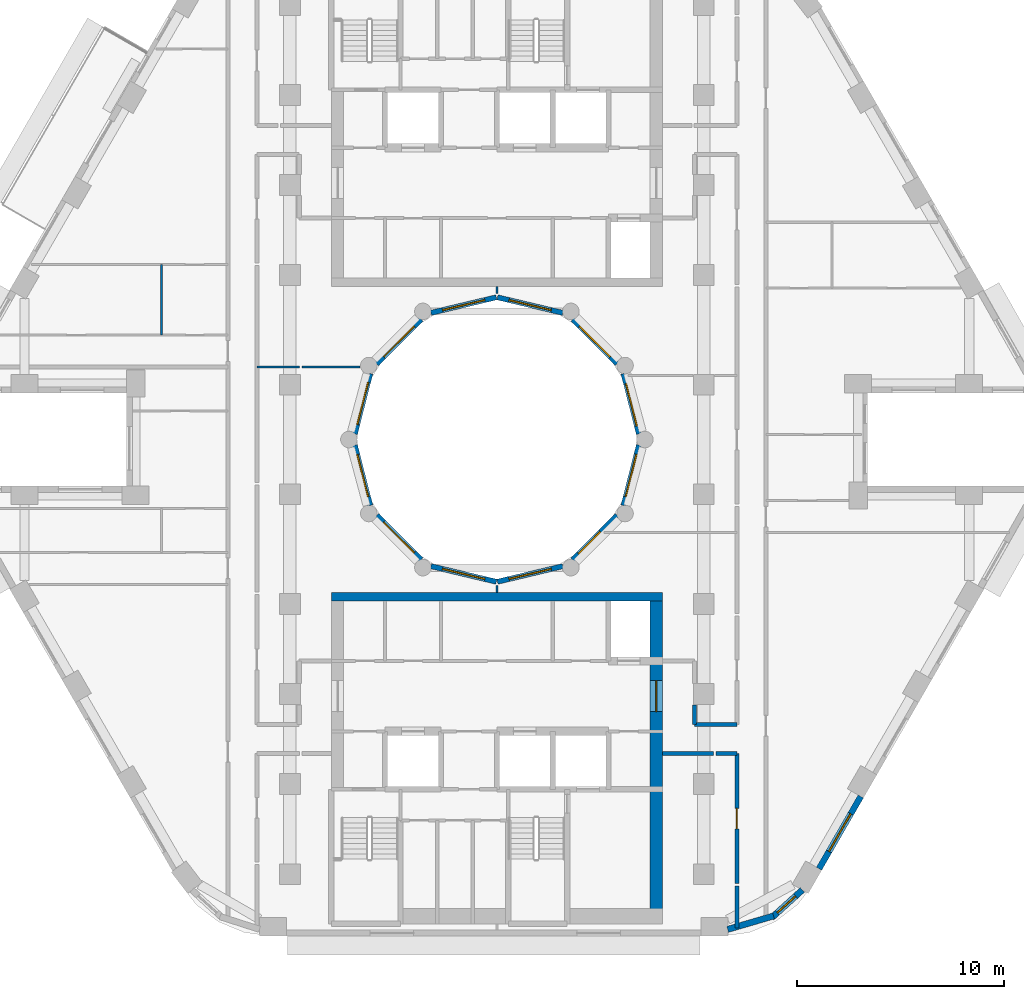
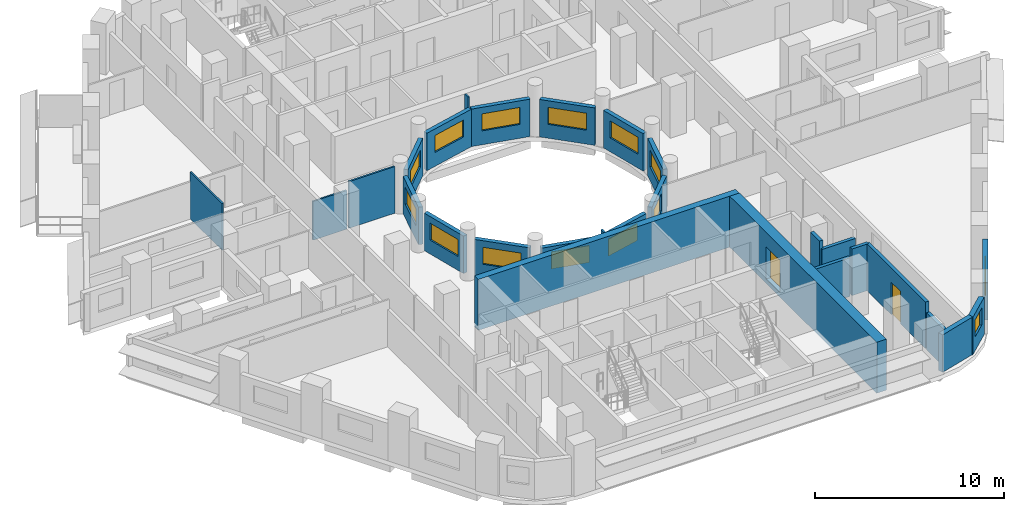
# One storey, part 5 of 13: 28 walls, 14 windows, 2 doors, 16 openings.
"""IFC4 building model written with IfcOpenShell, lengths in metres."""

from ifc_helpers import new_model, si_unit, direction, frame, frame_2d, origin, place, context, subcontext, project, spatial, rectangle, extrude, material, layer, layer_set, type_object, element, fill, save


model = new_model("IFC4")

# Units and contexts
model_context = context("Model", 3, precision=1e-05, world=origin(), true_north=direction((0.0, 1.0)))
body_context = subcontext(model_context, "Body", "Model", "MODEL_VIEW")
ifc_project = project(units=[si_unit("LENGTHUNIT", "METRE"), si_unit("AREAUNIT", "SQUARE_METRE"), si_unit("VOLUMEUNIT", "CUBIC_METRE"), si_unit("PLANEANGLEUNIT", "RADIAN"), si_unit("MASSUNIT", "GRAM", prefix="KILO")], contexts=[model_context])

# Site, building, storey
site_placement = place(None, origin())
site = spatial("IfcSite", under=ifc_project, at=site_placement, CompositionType="ELEMENT")
building_placement = place(site_placement, origin())
building = spatial("IfcBuilding", under=site, at=building_placement, Name="Nakaniwa Court", CompositionType="ELEMENT")
storey_placement = place(building_placement, frame((0.0, 0.0, 147.0)))
storey = spatial("IfcBuildingStorey", under=building, at=storey_placement, Name="L38", CompositionType="ELEMENT", Elevation=147.0)

# Wall
ifc_material_1 = material(Name="Acoustic double stud partition")
ifc_layer_1 = layer(ifc_material_1, 0.199951171875)
ifc_layer_set_1 = layer_set([ifc_layer_1], Name="Acoustic double stud partition")
wall_type_1 = type_object("IfcWallType", Name="Acoustic double stud partition 200", PredefinedType="PARTITIONING", material=ifc_layer_set_1)
wall_1_placement = place(storey_placement, frame((91.60009765625, 56.40087890625, 0.0), z_axis=(0.0, 0.0, 1.0), x_axis=(0.0, 1.0, 0.0)))
element("IfcWall", 1, at=wall_1_placement, inside=storey, type_object=wall_type_1, Name="Partition PW-071", PredefinedType="PARTITIONING", context=body_context, shape_type="SweptSolid", body=[
    extrude(rectangle(XDim=2.02197265625, YDim=0.199951171875, at=frame_2d((1.010986328125, 0.0))), origin(), (0.0, 0.0, 1.0), 2.405029296875),
])

# Wall, opening, door
wall_2_placement = place(storey_placement, frame((91.60009765625, 58.537109375, 0.0), z_axis=(0.0, 0.0, 1.0), x_axis=(0.0, 1.0, 0.0)))
wall_2 = element("IfcWall", 2, at=wall_2_placement, inside=storey, type_object=wall_type_1, Name="Partition PW-072", PredefinedType="PARTITIONING", context=body_context, shape_type="SweptSolid", body=[
    extrude(rectangle(XDim=6.287841796875, YDim=0.199951171875, at=frame_2d((3.14404296875, 0.0))), origin(), (0.0, 0.0, 1.0), 3.02490234375),
])
opening_1_placement = place(wall_2_placement, frame((2.64501953125, 0.0, 0.0)))
opening_1 = element("IfcOpeningElement", 3, at=opening_1_placement, cuts=wall_2, Name="Opening D-02-01", PredefinedType="OPENING", context=body_context, shape_type="SweptSolid", body=[
    extrude(rectangle(XDim=1.0, YDim=2.10009765625, at=frame_2d((0.5, 1.050048828125))), frame((0.0, 0.10986328125, 0.0), z_axis=(0.0, -1.0, 0.0), x_axis=(1.0, 0.0, 0.0)), (0.0, 0.0, 1.0), 0.219970703125),
])
ifc_material_2 = material(Name="Solid core timber door set, black veneer", Category="wood")
door_type_1 = type_object("IfcDoorType", Name="Internal door 1000", OperationType="NOTDEFINED", PredefinedType="DOOR", material=ifc_material_2)
door_1_placement = place(opening_1_placement, origin())
door_1 = element("IfcDoor", 4, at=door_1_placement, inside=storey, type_object=door_type_1, Name="Door D-02-01 L38-027", OperationType="SINGLE_SWING_RIGHT", OverallHeight=2.10009765625, OverallWidth=1.0, PredefinedType="DOOR", context=body_context, shape_type="SweptSolid", body=[
    extrude(rectangle(XDim=1.0, YDim=2.10009765625, at=frame_2d((0.5, 1.050048828125))), frame((0.0, 0.02490234375, 0.0), z_axis=(0.0, -1.0, 0.0), x_axis=(1.0, 0.0, 0.0)), (0.0, 0.0, 1.0), 0.050048828125),
])
fill(opening_1, door_1)

# Walls
wall_3_placement = place(storey_placement, frame((88.0, 64.824951171875, 0.0), z_axis=(0.0, 0.0, 1.0), x_axis=(1.0, 0.0, 0.0)))
element("IfcWall", 5, at=wall_3_placement, inside=storey, type_object=wall_type_1, Name="Partition PW-081", PredefinedType="PARTITIONING", context=body_context, shape_type="SweptSolid", body=[
    extrude(rectangle(XDim=2.462890625, YDim=0.199951171875, at=frame_2d((1.2314453125, 0.0))), origin(), (0.0, 0.0, 1.0), 2.5048828125),
])
wall_4_placement = place(storey_placement, frame((90.5771484375, 64.824951171875, 0.0), z_axis=(0.0, 0.0, 1.0), x_axis=(1.0, 0.0, 0.0)))
element("IfcWall", 6, at=wall_4_placement, inside=storey, type_object=wall_type_1, Name="Partition PW-082", PredefinedType="PARTITIONING", context=body_context, shape_type="SweptSolid", body=[
    extrude(rectangle(XDim=1.02294921875, YDim=0.199951171875, at=frame_2d((0.511474609375, 0.0))), origin(), (0.0, 0.0, 1.0), 3.02490234375),
])
wall_5_placement = place(storey_placement, frame((89.550048828125, 66.22509765625, 0.0), z_axis=(0.0, 0.0, 1.0), x_axis=(0.0, 1.0, 0.0)))
element("IfcWall", 7, at=wall_5_placement, inside=storey, type_object=wall_type_1, Name="Partition PW-086", PredefinedType="PARTITIONING", context=body_context, shape_type="SweptSolid", body=[
    extrude(rectangle(XDim=0.957763671875, YDim=0.199951171875, at=frame_2d((0.47900390625, 0.0))), origin(), (0.0, 0.0, 1.0), 3.02490234375),
])
wall_6_placement = place(storey_placement, frame((89.550048828125, 66.22509765625, 0.0), z_axis=(0.0, 0.0, 1.0), x_axis=(1.0, 0.0, 0.0)))
element("IfcWall", 8, at=wall_6_placement, inside=storey, type_object=wall_type_1, Name="Partition PW-091", PredefinedType="PARTITIONING", context=body_context, shape_type="SweptSolid", body=[
    extrude(rectangle(XDim=2.050048828125, YDim=0.199951171875, at=frame_2d((1.02490234375, 0.0))), origin(), (0.0, 0.0, 1.0), 2.5048828125),
])
ifc_material_3 = material(Name="Charcoal ceramic cladding")
ifc_layer_2 = layer(ifc_material_3, 0.02, Name="Ceramic cladding")
ifc_material_4 = material(Name="Ventilated air cavity")
ifc_layer_3 = layer(ifc_material_4, 0.04, ventilated=True, Name="Ventilated cavity")
ifc_material_5 = material(Name="Mineral wool insulation")
ifc_layer_4 = layer(ifc_material_5, 0.1, Name="Insulation")
ifc_material_6 = material(Name="Cement bonded sheathing board")
ifc_layer_5 = layer(ifc_material_6, 0.012, Name="Sheathing")
ifc_material_7 = material(Name="Cold-formed galvanised stud frame with mineral wool infill")
ifc_layer_6 = layer(ifc_material_7, 0.1, Name="Stud frame")
ifc_material_8 = material(Name="Fire-rated gypsum plasterboard lining")
ifc_layer_7 = layer(ifc_material_8, 0.028, Name="Lining")
ifc_layer_set_2 = layer_set([ifc_layer_2, ifc_layer_3, ifc_layer_4, ifc_layer_5, ifc_layer_6, ifc_layer_7], Name="Charcoal ceramic faced external wall system")
wall_type_2 = type_object("IfcWallType", Name="Black ceramic faced external wall 300", PredefinedType="SOLIDWALL", material=ifc_layer_set_2)
wall_7_placement = place(storey_placement, frame((91.1533203125, 56.328125, 0.0), z_axis=(0.0, 0.0, 1.0), x_axis=(0.959473072336, 0.281800325517, 0.0)))
element("IfcWall", 9, at=wall_7_placement, inside=storey, type_object=wall_type_2, Name="L38 external wall 27", PredefinedType="SOLIDWALL", context=body_context, shape_type="SweptSolid", body=[
    extrude(rectangle(XDim=2.3115234375, YDim=0.300048828125, at=frame_2d((1.15576171875, 0.0))), origin(), (0.0, 0.0, 1.0), 2.425048828125),
])

# Wall, opening, window
wall_8_placement = place(storey_placement, frame((93.2783203125, 56.890380859375, 0.0), z_axis=(0.0, 0.0, 1.0), x_axis=(0.740652597499, 0.671888182526, 0.0)))
wall_8 = element("IfcWall", 10, at=wall_8_placement, inside=storey, type_object=wall_type_2, Name="L38 external wall 28", PredefinedType="SOLIDWALL", context=body_context, shape_type="SweptSolid", body=[
    extrude(rectangle(XDim=1.998779296875, YDim=0.300048828125, at=frame_2d((0.99951171875, 0.0))), origin(), (0.0, 0.0, 1.0), 2.425048828125),
])
opening_2_placement = place(wall_8_placement, frame((0.359619140625, 0.0, 0.89990234375)))
opening_2 = element("IfcOpeningElement", 11, at=opening_2_placement, cuts=wall_8, Name="Opening W6.29", PredefinedType="OPENING", context=body_context, shape_type="SweptSolid", body=[
    extrude(rectangle(XDim=1.199951171875, YDim=1.10009765625, at=frame_2d((0.60009765625, 0.550048828125))), frame((0.0, 0.159912109375, 0.0), z_axis=(0.0, -1.0, 0.0), x_axis=(1.0, 0.0, 0.0)), (0.0, 0.0, 1.0), 0.320068359375),
])
ifc_material_9 = material(Name="Black anodised aluminium frame with dark low-E laminated double glazing", Category="aluminium")
window_type_1 = type_object("IfcWindowType", Name="Dark glass window 1200x1100 sill 900", PartitioningType="SINGLE_PANEL", PredefinedType="WINDOW", material=ifc_material_9)
window_1_placement = place(opening_2_placement, origin())
window_1 = element("IfcWindow", 12, at=window_1_placement, inside=storey, type_object=window_type_1, Name="L38 habitable room window 28-0", OverallHeight=1.10009765625, OverallWidth=1.199951171875, PartitioningType="SINGLE_PANEL", PredefinedType="WINDOW", context=body_context, shape_type="SweptSolid", body=[
    extrude(rectangle(XDim=1.199951171875, YDim=1.10009765625, at=frame_2d((0.60009765625, 0.550048828125))), frame((0.0, 0.030029296875, 0.0), z_axis=(0.0, -1.0, 0.0), x_axis=(1.0, 0.0, 0.0)), (0.0, 0.0, 1.0), 0.06005859375),
])
fill(opening_2, window_1)

wall_9_placement = place(storey_placement, frame((95.565185546875, 59.260009765625, 0.0), z_axis=(0.0, 0.0, 1.0), x_axis=(0.500031546601, 0.86600718958, 0.0)))
wall_9 = element("IfcWall", 13, at=wall_9_placement, inside=storey, type_object=wall_type_2, Name="L38 external wall 29", PredefinedType="SOLIDWALL", context=body_context, shape_type="SweptSolid", body=[
    extrude(rectangle(XDim=4.033935546875, YDim=0.300048828125, at=frame_2d((2.01708984375, 0.0))), origin(), (0.0, 0.0, 1.0), 2.425048828125),
])
opening_3_placement = place(wall_9_placement, frame((0.967041015625, 0.0, 0.89990234375)))
opening_3 = element("IfcOpeningElement", 14, at=opening_3_placement, cuts=wall_9, Name="Opening W7.30", PredefinedType="OPENING", context=body_context, shape_type="SweptSolid", body=[
    extrude(rectangle(XDim=2.10009765625, YDim=1.10009765625, at=frame_2d((1.050048828125, 0.550048828125))), frame((0.0, 0.159912109375, 0.0), z_axis=(0.0, -1.0, 0.0), x_axis=(1.0, 0.0, 0.0)), (0.0, 0.0, 1.0), 0.320068359375),
])
window_type_2 = type_object("IfcWindowType", Name="Dark glass window 2100x1100 sill 900", PartitioningType="SINGLE_PANEL", PredefinedType="WINDOW", material=ifc_material_9)
window_2_placement = place(opening_3_placement, origin())
window_2 = element("IfcWindow", 15, at=window_2_placement, inside=storey, type_object=window_type_2, Name="L38 habitable room window 29-0", OverallHeight=1.10009765625, OverallWidth=2.10009765625, PartitioningType="SINGLE_PANEL", PredefinedType="WINDOW", context=body_context, shape_type="SweptSolid", body=[
    extrude(rectangle(XDim=2.10009765625, YDim=1.10009765625, at=frame_2d((1.050048828125, 0.550048828125))), frame((0.0, 0.030029296875, 0.0), z_axis=(0.0, -1.0, 0.0), x_axis=(1.0, 0.0, 0.0)), (0.0, 0.0, 1.0), 0.06005859375),
])
fill(opening_3, window_2)

ifc_layer_8 = layer(ifc_material_3, 0.02, Name="Ceramic cladding")
ifc_layer_9 = layer(ifc_material_4, 0.04, ventilated=True, Name="Ventilated cavity")
ifc_layer_10 = layer(ifc_material_5, 0.075, Name="Insulation")
ifc_layer_11 = layer(ifc_material_6, 0.012, Name="Sheathing")
ifc_layer_12 = layer(ifc_material_7, 0.075, Name="Stud frame")
ifc_layer_13 = layer(ifc_material_8, 0.028, Name="Lining")
ifc_layer_set_3 = layer_set([ifc_layer_8, ifc_layer_9, ifc_layer_10, ifc_layer_11, ifc_layer_12, ifc_layer_13], Name="Charcoal ceramic faced external wall system")
wall_type_3 = type_object("IfcWallType", Name="Charcoal ceramic faced well wall 250", PredefinedType="SOLIDWALL", material=ifc_layer_set_3)
wall_10_placement = place(storey_placement, frame((86.8603515625, 79.72998046875, 0.0), z_axis=(0.0, 0.0, 1.0), x_axis=(-0.247055971283, -0.969001211069, 0.0)))
wall_10 = element("IfcWall", 16, at=wall_10_placement, inside=storey, type_object=wall_type_3, Name="L38 external wall 36", PredefinedType="SOLIDWALL", context=body_context, shape_type="SweptSolid", body=[
    extrude(rectangle(XDim=3.010009765625, YDim=0.25, at=frame_2d((1.5048828125, 0.0))), origin(), (0.0, 0.0, 1.0), 2.425048828125),
])
opening_4_placement = place(wall_10_placement, frame((0.46875, 0.0, 0.89990234375)))
opening_4 = element("IfcOpeningElement", 17, at=opening_4_placement, cuts=wall_10, Name="Opening W7.36", PredefinedType="OPENING", context=body_context, shape_type="SweptSolid", body=[
    extrude(rectangle(XDim=2.10009765625, YDim=1.10009765625, at=frame_2d((1.050048828125, 0.550048828125))), frame((0.0, 0.135009765625, 0.0), z_axis=(0.0, -1.0, 0.0), x_axis=(1.0, 0.0, 0.0)), (0.0, 0.0, 1.0), 0.27001953125),
])
window_3_placement = place(opening_4_placement, origin())
window_3 = element("IfcWindow", 18, at=window_3_placement, inside=storey, type_object=window_type_2, Name="L38 habitable room window 36-0", OverallHeight=1.10009765625, OverallWidth=2.10009765625, PartitioningType="SINGLE_PANEL", PredefinedType="WINDOW", context=body_context, shape_type="SweptSolid", body=[
    extrude(rectangle(XDim=2.10009765625, YDim=1.10009765625, at=frame_2d((1.050048828125, 0.550048828125))), frame((0.0, 0.030029296875, 0.0), z_axis=(0.0, -1.0, 0.0), x_axis=(1.0, 0.0, 0.0)), (0.0, 0.0, 1.0), 0.06005859375),
])
fill(opening_4, window_3)

wall_11_placement = place(storey_placement, frame((85.8056640625, 76.339111328125, 0.0), z_axis=(0.0, 0.0, 1.0), x_axis=(-0.707106781187, -0.707106781187, 0.0)))
wall_11 = element("IfcWall", 19, at=wall_11_placement, inside=storey, type_object=wall_type_3, Name="L38 external wall 37", PredefinedType="SOLIDWALL", context=body_context, shape_type="SweptSolid", body=[
    extrude(rectangle(XDim=3.033203125, YDim=0.25, at=frame_2d((1.5166015625, 0.0))), origin(), (0.0, 0.0, 1.0), 2.425048828125),
])
opening_5_placement = place(wall_11_placement, frame((1.13427734375, 0.0, 0.89990234375)))
opening_5 = element("IfcOpeningElement", 20, at=opening_5_placement, cuts=wall_11, Name="Opening W5.37", PredefinedType="OPENING", context=body_context, shape_type="SweptSolid", body=[
    extrude(rectangle(XDim=1.5, YDim=1.10009765625, at=frame_2d((0.75, 0.550048828125))), frame((0.0, 0.135009765625, 0.0), z_axis=(0.0, -1.0, 0.0), x_axis=(1.0, 0.0, 0.0)), (0.0, 0.0, 1.0), 0.27001953125),
])
window_type_3 = type_object("IfcWindowType", Name="Dark glass window 1500x1100 sill 900", PartitioningType="SINGLE_PANEL", PredefinedType="WINDOW", material=ifc_material_9)
window_4_placement = place(opening_5_placement, origin())
window_4 = element("IfcWindow", 21, at=window_4_placement, inside=storey, type_object=window_type_3, Name="L38 habitable room window 37-1", OverallHeight=1.10009765625, OverallWidth=1.5, PartitioningType="SINGLE_PANEL", PredefinedType="WINDOW", context=body_context, shape_type="SweptSolid", body=[
    extrude(rectangle(XDim=1.5, YDim=1.10009765625, at=frame_2d((0.75, 0.550048828125))), frame((0.0, 0.030029296875, 0.0), z_axis=(0.0, -1.0, 0.0), x_axis=(1.0, 0.0, 0.0)), (0.0, 0.0, 1.0), 0.06005859375),
])
fill(opening_5, window_4)

wall_12_placement = place(storey_placement, frame((83.186279296875, 73.880615234375, 0.0), z_axis=(0.0, 0.0, 1.0), x_axis=(-0.972773113459, -0.231759508395, 0.0)))
wall_12 = element("IfcWall", 22, at=wall_12_placement, inside=storey, type_object=wall_type_3, Name="L38 external wall 38", PredefinedType="SOLIDWALL", context=body_context, shape_type="SweptSolid", body=[
    extrude(rectangle(XDim=3.24560546875, YDim=0.25, at=frame_2d((1.622802734375, 0.0))), origin(), (0.0, 0.0, 1.0), 2.425048828125),
])
opening_6_placement = place(wall_12_placement, frame((0.57275390625, 0.0, 0.89990234375)))
opening_6 = element("IfcOpeningElement", 23, at=opening_6_placement, cuts=wall_12, Name="Opening W7.38", PredefinedType="OPENING", context=body_context, shape_type="SweptSolid", body=[
    extrude(rectangle(XDim=2.10009765625, YDim=1.10009765625, at=frame_2d((1.050048828125, 0.550048828125))), frame((0.0, 0.135009765625, 0.0), z_axis=(0.0, -1.0, 0.0), x_axis=(1.0, 0.0, 0.0)), (0.0, 0.0, 1.0), 0.27001953125),
])
window_5_placement = place(opening_6_placement, origin())
window_5 = element("IfcWindow", 24, at=window_5_placement, inside=storey, type_object=window_type_2, Name="L38 habitable room window 38-0", OverallHeight=1.10009765625, OverallWidth=2.10009765625, PartitioningType="SINGLE_PANEL", PredefinedType="WINDOW", context=body_context, shape_type="SweptSolid", body=[
    extrude(rectangle(XDim=2.10009765625, YDim=1.10009765625, at=frame_2d((1.050048828125, 0.550048828125))), frame((0.0, 0.030029296875, 0.0), z_axis=(0.0, -1.0, 0.0), x_axis=(1.0, 0.0, 0.0)), (0.0, 0.0, 1.0), 0.06005859375),
])
fill(opening_6, window_5)

wall_13_placement = place(storey_placement, frame((79.970947265625, 73.12841796875, 0.0), z_axis=(0.0, 0.0, 1.0), x_axis=(-0.972773113459, 0.231759508395, 0.0)))
wall_13 = element("IfcWall", 25, at=wall_13_placement, inside=storey, type_object=wall_type_3, Name="L38 external wall 39", PredefinedType="SOLIDWALL", context=body_context, shape_type="SweptSolid", body=[
    extrude(rectangle(XDim=3.24560546875, YDim=0.25, at=frame_2d((1.622802734375, 0.0))), origin(), (0.0, 0.0, 1.0), 2.425048828125),
])
opening_7_placement = place(wall_13_placement, frame((0.57275390625, 0.0, 0.89990234375)))
opening_7 = element("IfcOpeningElement", 26, at=opening_7_placement, cuts=wall_13, Name="Opening W7.39", PredefinedType="OPENING", context=body_context, shape_type="SweptSolid", body=[
    extrude(rectangle(XDim=2.10009765625, YDim=1.10009765625, at=frame_2d((1.050048828125, 0.550048828125))), frame((0.0, 0.135009765625, 0.0), z_axis=(0.0, -1.0, 0.0), x_axis=(1.0, 0.0, 0.0)), (0.0, 0.0, 1.0), 0.27001953125),
])
window_6_placement = place(opening_7_placement, origin())
window_6 = element("IfcWindow", 27, at=window_6_placement, inside=storey, type_object=window_type_2, Name="L38 habitable room window 39-0", OverallHeight=1.10009765625, OverallWidth=2.10009765625, PartitioningType="SINGLE_PANEL", PredefinedType="WINDOW", context=body_context, shape_type="SweptSolid", body=[
    extrude(rectangle(XDim=2.10009765625, YDim=1.10009765625, at=frame_2d((1.050048828125, 0.550048828125))), frame((0.0, 0.030029296875, 0.0), z_axis=(0.0, -1.0, 0.0), x_axis=(1.0, 0.0, 0.0)), (0.0, 0.0, 1.0), 0.06005859375),
])
fill(opening_7, window_6)

wall_14_placement = place(storey_placement, frame((76.339111328125, 74.1943359375, 0.0), z_axis=(0.0, 0.0, 1.0), x_axis=(-0.707106781187, 0.707106781187, 0.0)))
wall_14 = element("IfcWall", 28, at=wall_14_placement, inside=storey, type_object=wall_type_3, Name="L38 external wall 40", PredefinedType="SOLIDWALL", context=body_context, shape_type="SweptSolid", body=[
    extrude(rectangle(XDim=3.033203125, YDim=0.25, at=frame_2d((1.5166015625, 0.0))), origin(), (0.0, 0.0, 1.0), 2.425048828125),
])
opening_8_placement = place(wall_14_placement, frame((0.466552734375, 0.0, 0.89990234375)))
opening_8 = element("IfcOpeningElement", 29, at=opening_8_placement, cuts=wall_14, Name="Opening W7.40", PredefinedType="OPENING", context=body_context, shape_type="SweptSolid", body=[
    extrude(rectangle(XDim=2.10009765625, YDim=1.10009765625, at=frame_2d((1.050048828125, 0.550048828125))), frame((0.0, 0.135009765625, 0.0), z_axis=(0.0, -1.0, 0.0), x_axis=(1.0, 0.0, 0.0)), (0.0, 0.0, 1.0), 0.27001953125),
])
window_7_placement = place(opening_8_placement, origin())
window_7 = element("IfcWindow", 30, at=window_7_placement, inside=storey, type_object=window_type_2, Name="L38 habitable room window 40-0", OverallHeight=1.10009765625, OverallWidth=2.10009765625, PartitioningType="SINGLE_PANEL", PredefinedType="WINDOW", context=body_context, shape_type="SweptSolid", body=[
    extrude(rectangle(XDim=2.10009765625, YDim=1.10009765625, at=frame_2d((1.050048828125, 0.550048828125))), frame((0.0, 0.030029296875, 0.0), z_axis=(0.0, -1.0, 0.0), x_axis=(1.0, 0.0, 0.0)), (0.0, 0.0, 1.0), 0.06005859375),
])
fill(opening_8, window_7)

wall_15_placement = place(storey_placement, frame((73.88330078125, 76.813232421875, 0.0), z_axis=(0.0, 0.0, 1.0), x_axis=(-0.247055971283, 0.969001211069, 0.0)))
wall_15 = element("IfcWall", 31, at=wall_15_placement, inside=storey, type_object=wall_type_3, Name="L38 external wall 41", PredefinedType="SOLIDWALL", context=body_context, shape_type="SweptSolid", body=[
    extrude(rectangle(XDim=3.010009765625, YDim=0.25, at=frame_2d((1.5048828125, 0.0))), origin(), (0.0, 0.0, 1.0), 2.425048828125),
])
opening_9_placement = place(wall_15_placement, frame((0.441162109375, 0.0, 0.89990234375)))
opening_9 = element("IfcOpeningElement", 32, at=opening_9_placement, cuts=wall_15, Name="Opening W7.41", PredefinedType="OPENING", context=body_context, shape_type="SweptSolid", body=[
    extrude(rectangle(XDim=2.10009765625, YDim=1.10009765625, at=frame_2d((1.050048828125, 0.550048828125))), frame((0.0, 0.135009765625, 0.0), z_axis=(0.0, -1.0, 0.0), x_axis=(1.0, 0.0, 0.0)), (0.0, 0.0, 1.0), 0.27001953125),
])
window_8_placement = place(opening_9_placement, origin())
window_8 = element("IfcWindow", 33, at=window_8_placement, inside=storey, type_object=window_type_2, Name="L38 habitable room window 41-0", OverallHeight=1.10009765625, OverallWidth=2.10009765625, PartitioningType="SINGLE_PANEL", PredefinedType="WINDOW", context=body_context, shape_type="SweptSolid", body=[
    extrude(rectangle(XDim=2.10009765625, YDim=1.10009765625, at=frame_2d((1.050048828125, 0.550048828125))), frame((0.0, 0.030029296875, 0.0), z_axis=(0.0, -1.0, 0.0), x_axis=(1.0, 0.0, 0.0)), (0.0, 0.0, 1.0), 0.06005859375),
])
fill(opening_9, window_8)

wall_16_placement = place(storey_placement, frame((73.1396484375, 80.27001953125, 0.0), z_axis=(0.0, 0.0, 1.0), x_axis=(0.247055971283, 0.969001211069, 0.0)))
wall_16 = element("IfcWall", 34, at=wall_16_placement, inside=storey, type_object=wall_type_3, Name="L38 external wall 42", PredefinedType="SOLIDWALL", context=body_context, shape_type="SweptSolid", body=[
    extrude(rectangle(XDim=3.010009765625, YDim=0.25, at=frame_2d((1.5048828125, 0.0))), origin(), (0.0, 0.0, 1.0), 2.425048828125),
])
opening_10_placement = place(wall_16_placement, frame((0.46875, 0.0, 0.89990234375)))
opening_10 = element("IfcOpeningElement", 35, at=opening_10_placement, cuts=wall_16, Name="Opening W7.42", PredefinedType="OPENING", context=body_context, shape_type="SweptSolid", body=[
    extrude(rectangle(XDim=2.10009765625, YDim=1.10009765625, at=frame_2d((1.050048828125, 0.550048828125))), frame((0.0, 0.135009765625, 0.0), z_axis=(0.0, -1.0, 0.0), x_axis=(1.0, 0.0, 0.0)), (0.0, 0.0, 1.0), 0.27001953125),
])
window_9_placement = place(opening_10_placement, origin())
window_9 = element("IfcWindow", 36, at=window_9_placement, inside=storey, type_object=window_type_2, Name="L38 habitable room window 42-0", OverallHeight=1.10009765625, OverallWidth=2.10009765625, PartitioningType="SINGLE_PANEL", PredefinedType="WINDOW", context=body_context, shape_type="SweptSolid", body=[
    extrude(rectangle(XDim=2.10009765625, YDim=1.10009765625, at=frame_2d((1.050048828125, 0.550048828125))), frame((0.0, 0.030029296875, 0.0), z_axis=(0.0, -1.0, 0.0), x_axis=(1.0, 0.0, 0.0)), (0.0, 0.0, 1.0), 0.06005859375),
])
fill(opening_10, window_9)

wall_17_placement = place(storey_placement, frame((74.1943359375, 83.660888671875, 0.0), z_axis=(0.0, 0.0, 1.0), x_axis=(0.707106781187, 0.707106781187, 0.0)))
wall_17 = element("IfcWall", 37, at=wall_17_placement, inside=storey, type_object=wall_type_3, Name="L38 external wall 43", PredefinedType="SOLIDWALL", context=body_context, shape_type="SweptSolid", body=[
    extrude(rectangle(XDim=3.033203125, YDim=0.25, at=frame_2d((1.5166015625, 0.0))), origin(), (0.0, 0.0, 1.0), 2.425048828125),
])
opening_11_placement = place(wall_17_placement, frame((0.466552734375, 0.0, 0.89990234375)))
opening_11 = element("IfcOpeningElement", 38, at=opening_11_placement, cuts=wall_17, Name="Opening W7.43", PredefinedType="OPENING", context=body_context, shape_type="SweptSolid", body=[
    extrude(rectangle(XDim=2.10009765625, YDim=1.10009765625, at=frame_2d((1.050048828125, 0.550048828125))), frame((0.0, 0.135009765625, 0.0), z_axis=(0.0, -1.0, 0.0), x_axis=(1.0, 0.0, 0.0)), (0.0, 0.0, 1.0), 0.27001953125),
])
window_10_placement = place(opening_11_placement, origin())
window_10 = element("IfcWindow", 39, at=window_10_placement, inside=storey, type_object=window_type_2, Name="L38 habitable room window 43-0", OverallHeight=1.10009765625, OverallWidth=2.10009765625, PartitioningType="SINGLE_PANEL", PredefinedType="WINDOW", context=body_context, shape_type="SweptSolid", body=[
    extrude(rectangle(XDim=2.10009765625, YDim=1.10009765625, at=frame_2d((1.050048828125, 0.550048828125))), frame((0.0, 0.030029296875, 0.0), z_axis=(0.0, -1.0, 0.0), x_axis=(1.0, 0.0, 0.0)), (0.0, 0.0, 1.0), 0.06005859375),
])
fill(opening_11, window_10)

wall_18_placement = place(storey_placement, frame((76.813720703125, 86.119384765625, 0.0), z_axis=(0.0, 0.0, 1.0), x_axis=(0.972773113459, 0.231759508395, 0.0)))
wall_18 = element("IfcWall", 40, at=wall_18_placement, inside=storey, type_object=wall_type_3, Name="L38 external wall 44", PredefinedType="SOLIDWALL", context=body_context, shape_type="SweptSolid", body=[
    extrude(rectangle(XDim=3.24560546875, YDim=0.25, at=frame_2d((1.622802734375, 0.0))), origin(), (0.0, 0.0, 1.0), 2.425048828125),
])
opening_12_placement = place(wall_18_placement, frame((0.57275390625, 0.0, 0.89990234375)))
opening_12 = element("IfcOpeningElement", 41, at=opening_12_placement, cuts=wall_18, Name="Opening W7.44", PredefinedType="OPENING", context=body_context, shape_type="SweptSolid", body=[
    extrude(rectangle(XDim=2.10009765625, YDim=1.10009765625, at=frame_2d((1.050048828125, 0.550048828125))), frame((0.0, 0.135009765625, 0.0), z_axis=(0.0, -1.0, 0.0), x_axis=(1.0, 0.0, 0.0)), (0.0, 0.0, 1.0), 0.27001953125),
])
window_11_placement = place(opening_12_placement, origin())
window_11 = element("IfcWindow", 42, at=window_11_placement, inside=storey, type_object=window_type_2, Name="L38 habitable room window 44-0", OverallHeight=1.10009765625, OverallWidth=2.10009765625, PartitioningType="SINGLE_PANEL", PredefinedType="WINDOW", context=body_context, shape_type="SweptSolid", body=[
    extrude(rectangle(XDim=2.10009765625, YDim=1.10009765625, at=frame_2d((1.050048828125, 0.550048828125))), frame((0.0, 0.030029296875, 0.0), z_axis=(0.0, -1.0, 0.0), x_axis=(1.0, 0.0, 0.0)), (0.0, 0.0, 1.0), 0.06005859375),
])
fill(opening_12, window_11)

wall_19_placement = place(storey_placement, frame((80.029052734375, 86.87158203125, 0.0), z_axis=(0.0, 0.0, 1.0), x_axis=(0.972773113459, -0.231759508395, 0.0)))
wall_19 = element("IfcWall", 43, at=wall_19_placement, inside=storey, type_object=wall_type_3, Name="L38 external wall 45", PredefinedType="SOLIDWALL", context=body_context, shape_type="SweptSolid", body=[
    extrude(rectangle(XDim=3.24560546875, YDim=0.25, at=frame_2d((1.622802734375, 0.0))), origin(), (0.0, 0.0, 1.0), 2.425048828125),
])
opening_13_placement = place(wall_19_placement, frame((0.57275390625, 0.0, 0.89990234375)))
opening_13 = element("IfcOpeningElement", 44, at=opening_13_placement, cuts=wall_19, Name="Opening W7.45", PredefinedType="OPENING", context=body_context, shape_type="SweptSolid", body=[
    extrude(rectangle(XDim=2.10009765625, YDim=1.10009765625, at=frame_2d((1.050048828125, 0.550048828125))), frame((0.0, 0.135009765625, 0.0), z_axis=(0.0, -1.0, 0.0), x_axis=(1.0, 0.0, 0.0)), (0.0, 0.0, 1.0), 0.27001953125),
])
window_12_placement = place(opening_13_placement, origin())
window_12 = element("IfcWindow", 45, at=window_12_placement, inside=storey, type_object=window_type_2, Name="L38 habitable room window 45-0", OverallHeight=1.10009765625, OverallWidth=2.10009765625, PartitioningType="SINGLE_PANEL", PredefinedType="WINDOW", context=body_context, shape_type="SweptSolid", body=[
    extrude(rectangle(XDim=2.10009765625, YDim=1.10009765625, at=frame_2d((1.050048828125, 0.550048828125))), frame((0.0, 0.030029296875, 0.0), z_axis=(0.0, -1.0, 0.0), x_axis=(1.0, 0.0, 0.0)), (0.0, 0.0, 1.0), 0.06005859375),
])
fill(opening_13, window_12)

wall_20_placement = place(storey_placement, frame((83.660888671875, 85.8056640625, 0.0), z_axis=(0.0, 0.0, 1.0), x_axis=(0.707106781187, -0.707106781187, 0.0)))
wall_20 = element("IfcWall", 46, at=wall_20_placement, inside=storey, type_object=wall_type_3, Name="L38 external wall 46", PredefinedType="SOLIDWALL", context=body_context, shape_type="SweptSolid", body=[
    extrude(rectangle(XDim=3.033203125, YDim=0.25, at=frame_2d((1.5166015625, 0.0))), origin(), (0.0, 0.0, 1.0), 2.425048828125),
])
opening_14_placement = place(wall_20_placement, frame((0.466552734375, 0.0, 0.89990234375)))
opening_14 = element("IfcOpeningElement", 47, at=opening_14_placement, cuts=wall_20, Name="Opening W7.46", PredefinedType="OPENING", context=body_context, shape_type="SweptSolid", body=[
    extrude(rectangle(XDim=2.10009765625, YDim=1.10009765625, at=frame_2d((1.050048828125, 0.550048828125))), frame((0.0, 0.135009765625, 0.0), z_axis=(0.0, -1.0, 0.0), x_axis=(1.0, 0.0, 0.0)), (0.0, 0.0, 1.0), 0.27001953125),
])
window_13_placement = place(opening_14_placement, origin())
window_13 = element("IfcWindow", 48, at=window_13_placement, inside=storey, type_object=window_type_2, Name="L38 habitable room window 46-0", OverallHeight=1.10009765625, OverallWidth=2.10009765625, PartitioningType="SINGLE_PANEL", PredefinedType="WINDOW", context=body_context, shape_type="SweptSolid", body=[
    extrude(rectangle(XDim=2.10009765625, YDim=1.10009765625, at=frame_2d((1.050048828125, 0.550048828125))), frame((0.0, 0.030029296875, 0.0), z_axis=(0.0, -1.0, 0.0), x_axis=(1.0, 0.0, 0.0)), (0.0, 0.0, 1.0), 0.06005859375),
])
fill(opening_14, window_13)

wall_21_placement = place(storey_placement, frame((86.11669921875, 83.186767578125, 0.0), z_axis=(0.0, 0.0, 1.0), x_axis=(0.247055971283, -0.969001211069, 0.0)))
wall_21 = element("IfcWall", 49, at=wall_21_placement, inside=storey, type_object=wall_type_3, Name="L38 external wall 47", PredefinedType="SOLIDWALL", context=body_context, shape_type="SweptSolid", body=[
    extrude(rectangle(XDim=3.010009765625, YDim=0.25, at=frame_2d((1.5048828125, 0.0))), origin(), (0.0, 0.0, 1.0), 2.425048828125),
])
opening_15_placement = place(wall_21_placement, frame((0.509521484375, 0.0, 0.89990234375)))
opening_15 = element("IfcOpeningElement", 50, at=opening_15_placement, cuts=wall_21, Name="Opening W7.47", PredefinedType="OPENING", context=body_context, shape_type="SweptSolid", body=[
    extrude(rectangle(XDim=2.10009765625, YDim=1.10009765625, at=frame_2d((1.050048828125, 0.550048828125))), frame((0.0, 0.135009765625, 0.0), z_axis=(0.0, -1.0, 0.0), x_axis=(1.0, 0.0, 0.0)), (0.0, 0.0, 1.0), 0.27001953125),
])
window_14_placement = place(opening_15_placement, origin())
window_14 = element("IfcWindow", 51, at=window_14_placement, inside=storey, type_object=window_type_2, Name="L38 habitable room window 47-1", OverallHeight=1.10009765625, OverallWidth=2.10009765625, PartitioningType="SINGLE_PANEL", PredefinedType="WINDOW", context=body_context, shape_type="SweptSolid", body=[
    extrude(rectangle(XDim=2.10009765625, YDim=1.10009765625, at=frame_2d((1.050048828125, 0.550048828125))), frame((0.0, 0.030029296875, 0.0), z_axis=(0.0, -1.0, 0.0), x_axis=(1.0, 0.0, 0.0)), (0.0, 0.0, 1.0), 0.06005859375),
])
fill(opening_15, window_14)

# Wall, opening, door
ifc_material_10 = material(Name="Concrete C80/100", Category="concrete")
ifc_layer_14 = layer(ifc_material_10, 0.60009765625)
ifc_layer_set_4 = layer_set([ifc_layer_14], Name="Concrete C80/100")
wall_type_4 = type_object("IfcWallType", Name="Concrete core side wall 600 C80", PredefinedType="SHEAR", material=ifc_layer_set_4)
wall_22_placement = place(storey_placement, frame((87.699951171875, 72.199951171875, -0.27490234375), z_axis=(0.0, 0.0, 1.0), x_axis=(0.0, -1.0, 0.0)))
wall_22 = element("IfcWall", 52, at=wall_22_placement, inside=storey, type_object=wall_type_4, Name="Core wall SW-42", PredefinedType="SHEAR", context=body_context, shape_type="SweptSolid", body=[
    extrude(rectangle(XDim=15.599853515625, YDim=0.60009765625, at=frame_2d((7.7998046875, 0.0))), origin(), (0.0, 0.0, 1.0), 3.2998046875),
])
opening_16_placement = place(wall_22_placement, frame((3.85205078125, 0.0, 0.27490234375)))
opening_16 = element("IfcOpeningElement", 53, at=opening_16_placement, cuts=wall_22, Name="Opening D-07-03", PredefinedType="OPENING", context=body_context, shape_type="SweptSolid", body=[
    extrude(rectangle(XDim=1.5, YDim=2.10009765625, at=frame_2d((0.75, 1.050048828125))), frame((0.0, 0.31005859375, 0.0), z_axis=(0.0, -1.0, 0.0), x_axis=(1.0, 0.0, 0.0)), (0.0, 0.0, 1.0), 0.6201171875),
])
ifc_material_11 = material(Name="Glazed fire rated steel double door set", Category="steel")
door_type_2 = type_object("IfcDoorType", Name="Lobby double door 1500", OperationType="NOTDEFINED", PredefinedType="DOOR", material=ifc_material_11)
door_2_placement = place(opening_16_placement, origin())
door_2 = element("IfcDoor", 54, at=door_2_placement, inside=storey, type_object=door_type_2, Name="Door D-07-03 L38-056", OperationType="DOUBLE_DOOR_SINGLE_SWING", OverallHeight=2.10009765625, OverallWidth=1.5, PredefinedType="DOOR", context=body_context, shape_type="SweptSolid", body=[
    extrude(rectangle(XDim=1.5, YDim=2.10009765625, at=frame_2d((0.75, 1.050048828125))), frame((0.0, 0.02490234375, 0.0), z_axis=(0.0, -1.0, 0.0), x_axis=(1.0, 0.0, 0.0)), (0.0, 0.0, 1.0), 0.050048828125),
])
fill(opening_16, door_2)

# Walls
ifc_layer_15 = layer(ifc_material_10, 0.39990234375)
ifc_layer_set_5 = layer_set([ifc_layer_15], Name="Concrete C80/100")
wall_type_5 = type_object("IfcWallType", Name="Concrete core well wall 400 C80", PredefinedType="SHEAR", material=ifc_layer_set_5)
wall_23_placement = place(storey_placement, frame((72.00390625, 72.39990234375, -0.27490234375), z_axis=(0.0, 0.0, 1.0), x_axis=(1.0, 0.0, 0.0)))
element("IfcWall", 55, at=wall_23_placement, inside=storey, type_object=wall_type_5, Name="Core wall SW-139", PredefinedType="SHEAR", context=body_context, shape_type="SweptSolid", body=[
    extrude(rectangle(XDim=15.9921875, YDim=0.39990234375, at=frame_2d((7.99609375, 0.0))), origin(), (0.0, 0.0, 1.0), 3.2998046875),
])
ifc_material_12 = material(Name="Single stud plasterboard partition")
ifc_layer_16 = layer(ifc_material_12, 0.10009765625)
ifc_layer_set_6 = layer_set([ifc_layer_16], Name="Single stud plasterboard partition")
wall_type_6 = type_object("IfcWallType", Name="Single stud plasterboard partition 100", PredefinedType="PARTITIONING", material=ifc_layer_set_6)
for number, where, z_axis, x_axis, name in (
    (56, (80.0, 72.60009765625, 0.0), (0.0, 0.0, 1.0), (0.0, 1.0, 0.0), "Partition PW-114"),
    (57, (80.0, 87.048095703125, 0.0), (0.0, 0.0, 1.0), (0.0, 1.0, 0.0), "Partition PW-115"),
):
    element("IfcWall", number, at=place(storey_placement, frame(where, z_axis=z_axis, x_axis=x_axis)), inside=storey, type_object=wall_type_6, Name=name, PredefinedType="PARTITIONING", context=body_context, shape_type="SweptSolid", body=[
        extrude(rectangle(XDim=0.351806640625, YDim=0.10009765625, at=frame_2d((0.17578125, 0.0))), origin(), (0.0, 0.0, 1.0), 3.02490234375),
    ])
wall_24_placement = place(storey_placement, frame((68.40087890625, 83.5, 0.0), z_axis=(0.0, 0.0, 1.0), x_axis=(1.0, 0.0, 0.0)))
element("IfcWall", 58, at=wall_24_placement, inside=storey, type_object=wall_type_6, Name="Partition PW-125", PredefinedType="PARTITIONING", context=body_context, shape_type="SweptSolid", body=[
    extrude(rectangle(XDim=2.05908203125, YDim=0.10009765625, at=frame_2d((1.029541015625, 0.0))), origin(), (0.0, 0.0, 1.0), 2.5048828125),
])
wall_25_placement = place(storey_placement, frame((70.580078125, 83.5, 0.0), z_axis=(0.0, 0.0, 1.0), x_axis=(1.0, 0.0, 0.0)))
element("IfcWall", 59, at=wall_25_placement, inside=storey, type_object=wall_type_6, Name="Partition PW-126", PredefinedType="PARTITIONING", context=body_context, shape_type="SweptSolid", body=[
    extrude(rectangle(XDim=2.815185546875, YDim=0.10009765625, at=frame_2d((1.40771484375, 0.0))), origin(), (0.0, 0.0, 1.0), 3.02490234375),
])
wall_26_placement = place(storey_placement, frame((63.799072265625, 85.050048828125, 0.0), z_axis=(0.0, 0.0, 1.0), x_axis=(0.0, 1.0, 0.0)))
element("IfcWall", 60, at=wall_26_placement, inside=storey, type_object=wall_type_6, Name="Partition PW-129", PredefinedType="PARTITIONING", context=body_context, shape_type="SweptSolid", body=[
    extrude(rectangle(XDim=3.39990234375, YDim=0.10009765625, at=frame_2d((1.699951171875, 0.0))), origin(), (0.0, 0.0, 1.0), 3.02490234375),
])

save(model, "model.ifc")
